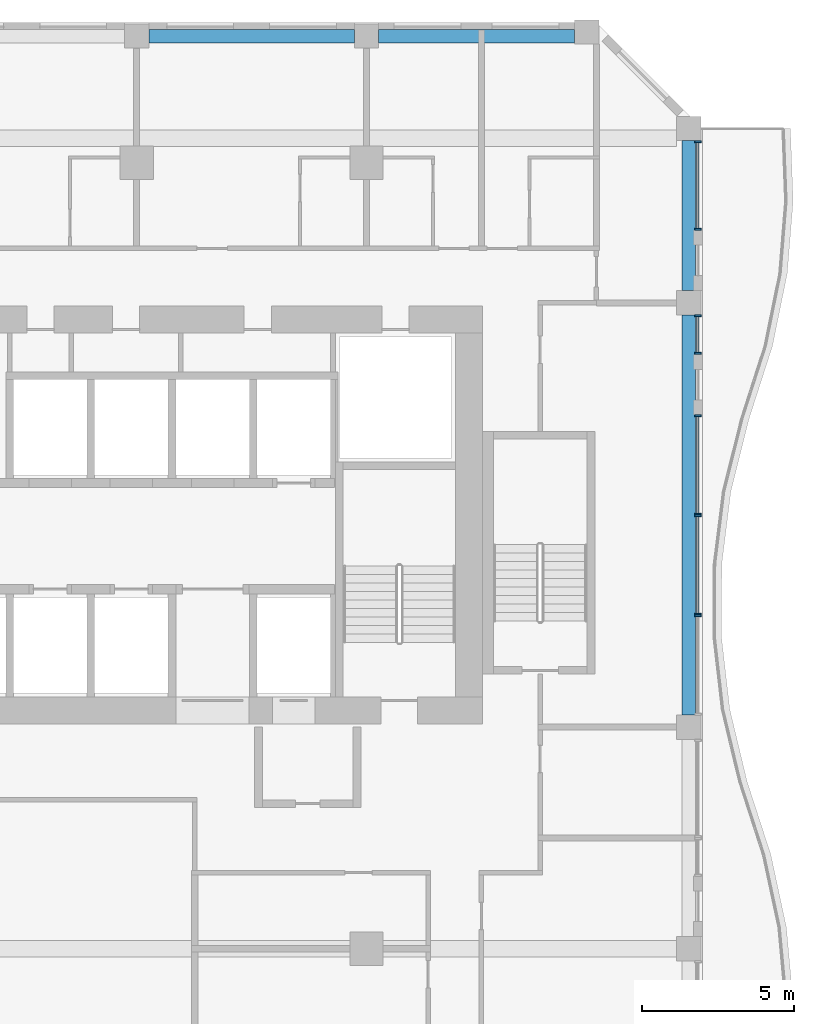
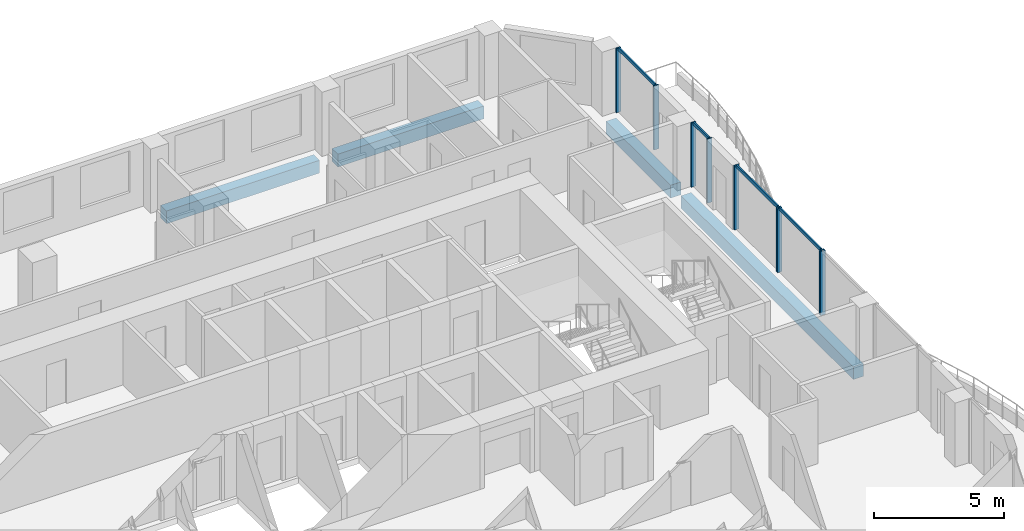
# One storey, part 8 of 23: 13 members, 4 beams, 5 elements without a shape of their own.
"""IFC4 building model written with IfcOpenShell, lengths in metres."""

from ifc_helpers import new_model, si_unit, direction, frame, origin, origin_2d, place, context, subcontext, project, spatial, rectangle, extrude, source, transform, mapped, material, material_profile, profile_set, type_object, element, aggregate, save


model = new_model("IFC4")

# Units and contexts
model_context = context("Model", 3, precision=1e-05, world=origin(), true_north=direction((0.0, 1.0)))
body_context = subcontext(model_context, "Body", "Model", "MODEL_VIEW")
ifc_project = project(units=[si_unit("LENGTHUNIT", "METRE"), si_unit("AREAUNIT", "SQUARE_METRE"), si_unit("VOLUMEUNIT", "CUBIC_METRE"), si_unit("PLANEANGLEUNIT", "RADIAN"), si_unit("MASSUNIT", "GRAM", prefix="KILO")], contexts=[model_context])

# Site, building, storey
site_placement = place(None, origin())
site = spatial("IfcSite", under=ifc_project, at=site_placement, CompositionType="ELEMENT")
building_placement = place(site_placement, origin())
building = spatial("IfcBuilding", under=site, at=building_placement, Name="Kilnfold Tower and Market Hall", CompositionType="ELEMENT")
storey_placement = place(building_placement, frame((0.0, 0.0, 160.89990234375)))
storey = spatial("IfcBuildingStorey", under=building, at=storey_placement, Name="L37", CompositionType="ELEMENT", Elevation=160.89990234375)

# Beams
ifc_material_1 = material(Name="Concrete C45", Category="concrete")
ifc_material_profile_1 = material_profile(ifc_material_1, rectangle(XDim=0.449951171875, YDim=0.60009765625, at=origin_2d()), Name="RC 450x600")
ifc_profile_set_1 = profile_set([ifc_material_profile_1], Name="Concrete C45")
beam_type = type_object("IfcBeamType", Name="EDGE BEAM 450X600 C45", PredefinedType="BEAM", material=ifc_profile_set_1)
shared_shape_1 = source(origin(), body_context, "Body", "SweptSolid", [
    extrude(rectangle(XDim=0.449951171875, YDim=0.60009765625, at=origin_2d()), origin(), (0.0, 0.0, 1.0), 6.783203125),
])
beam_1_placement = place(storey_placement, frame((6.9833984375, 30.800048828125, -0.579833984375), z_axis=(1.0, 0.0, 0.0), x_axis=(0.0, 1.0, 0.0)))
element("IfcBeam", 1, at=beam_1_placement, inside=storey, type_object=beam_type, Name="Beam EB600-B4.92", PredefinedType="BEAM", context=body_context, shape_type="MappedRepresentation", body=[
    mapped(shared_shape_1, transform((0.0, 0.0, 0.0))),
])
shared_shape_2 = source(origin(), body_context, "Body", "SweptSolid", [
    extrude(rectangle(XDim=0.449951171875, YDim=0.60009765625, at=origin_2d()), origin(), (0.0, 0.0, 1.0), 6.465087890625),
])
beam_2_placement = place(storey_placement, frame((14.566650390625, 30.800048828125, -0.579833984375), z_axis=(1.0, 0.0, 0.0), x_axis=(0.0, 1.0, 0.0)))
element("IfcBeam", 2, at=beam_2_placement, inside=storey, type_object=beam_type, Name="Beam EB600-B4.93", PredefinedType="BEAM", context=body_context, shape_type="MappedRepresentation", body=[
    mapped(shared_shape_2, transform((0.0, 0.0, 0.0))),
])
shared_shape_3 = source(origin(), body_context, "Body", "SweptSolid", [
    extrude(rectangle(XDim=0.449951171875, YDim=0.60009765625, at=origin_2d()), origin(), (0.0, 0.0, 1.0), 13.2001953125),
])
beam_3_placement = place(storey_placement, frame((24.800048828125, 8.39990234375, -0.579833984375), z_axis=(0.0, 1.0, 0.0), x_axis=(-1.0, 0.0, 0.0)))
element("IfcBeam", 3, at=beam_3_placement, inside=storey, type_object=beam_type, Name="Beam EB600-B4.103", PredefinedType="BEAM", context=body_context, shape_type="MappedRepresentation", body=[
    mapped(shared_shape_3, transform((0.0, 0.0, 0.0))),
])
shared_shape_4 = source(origin(), body_context, "Body", "SweptSolid", [
    extrude(rectangle(XDim=0.449951171875, YDim=0.60009765625, at=origin_2d()), origin(), (0.0, 0.0, 1.0), 4.9501953125),
])
beam_4_placement = place(storey_placement, frame((24.800048828125, 22.39990234375, -0.579833984375), z_axis=(0.0, 1.0, 0.0), x_axis=(-1.0, 0.0, 0.0)))
element("IfcBeam", 4, at=beam_4_placement, inside=storey, type_object=beam_type, Name="Beam EB600-B4.104", PredefinedType="BEAM", context=body_context, shape_type="MappedRepresentation", body=[
    mapped(shared_shape_4, transform((0.0, 0.0, 0.0))),
])

# Curtain wall, member
ifc_material_2 = material(Name="Aluminium and double glazing", Category="aluminium")
curtain_wall_type = type_object("IfcCurtainWallType", Name="CW GARDEN HOTEL WINTER GARDEN", PredefinedType="NOTDEFINED", material=ifc_material_2)
curtain_wall_1_placement = place(storey_placement, origin())
curtain_wall_1 = element("IfcCurtainWall", 5, at=curtain_wall_1_placement, inside=storey, type_object=curtain_wall_type, Name="Curtain wall CW5 L37 E", PredefinedType="NOTDEFINED")
ifc_material_3 = material(Name="Aluminium", Category="aluminium")
ifc_material_profile_2 = material_profile(ifc_material_3, rectangle(XDim=0.06494140625, YDim=0.2099609375, at=origin_2d()), Name="MULLION 65x210")
ifc_profile_set_2 = profile_set([ifc_material_profile_2], Name="Aluminium")
member_type_1 = type_object("IfcMemberType", Name="MULLION 65X210", PredefinedType="MULLION", material=ifc_profile_set_2)
shared_shape_5 = source(origin(), body_context, "Body", "SweptSolid", [
    extrude(rectangle(XDim=0.06494140625, YDim=0.2099609375, at=origin_2d()), origin(), (0.0, 0.0, 1.0), 3.0),
])
member_1_placement = place(storey_placement, frame((25.10009765625, 11.66748046875, 0.0), z_axis=(0.0, 0.0, 1.0), x_axis=(0.0, 1.0, 0.0)))
member_1 = element("IfcMember", 6, at=member_1_placement, type_object=member_type_1, Name="CW5 mullion 2", PredefinedType="MULLION", context=body_context, shape_type="MappedRepresentation", body=[
    mapped(shared_shape_5, transform((0.0, 0.0, 0.0))),
])
aggregate(curtain_wall_1, [member_1])

# Curtain wall, members
curtain_wall_2_placement = place(storey_placement, origin())
curtain_wall_2 = element("IfcCurtainWall", 7, at=curtain_wall_2_placement, inside=storey, type_object=curtain_wall_type, Name="Curtain wall CW5 L37 E", PredefinedType="NOTDEFINED")
member_2_placement = place(storey_placement, frame((25.10009765625, 11.732421875, 0.0), z_axis=(0.0, 0.0, 1.0), x_axis=(0.0, 1.0, 0.0)))
member_2 = element("IfcMember", 8, at=member_2_placement, type_object=member_type_1, Name="CW5 mullion 1", PredefinedType="MULLION", context=body_context, shape_type="MappedRepresentation", body=[
    mapped(shared_shape_5, transform((0.0, 0.0, 0.0))),
])
member_3_placement = place(storey_placement, frame((25.10009765625, 14.967529296875, 0.0), z_axis=(0.0, 0.0, 1.0), x_axis=(0.0, 1.0, 0.0)))
member_3 = element("IfcMember", 9, at=member_3_placement, type_object=member_type_1, Name="CW5 mullion 2", PredefinedType="MULLION", context=body_context, shape_type="MappedRepresentation", body=[
    mapped(shared_shape_5, transform((0.0, 0.0, 0.0))),
])

curtain_wall_3_placement = place(storey_placement, origin())
curtain_wall_3 = element("IfcCurtainWall", 10, at=curtain_wall_3_placement, inside=storey, type_object=curtain_wall_type, Name="Curtain wall CW5 L37 E", PredefinedType="NOTDEFINED")
member_4_placement = place(storey_placement, frame((25.10009765625, 15.032470703125, 0.0), z_axis=(0.0, 0.0, 1.0), x_axis=(0.0, 1.0, 0.0)))
member_4 = element("IfcMember", 11, at=member_4_placement, type_object=member_type_1, Name="CW5 mullion 1", PredefinedType="MULLION", context=body_context, shape_type="MappedRepresentation", body=[
    mapped(shared_shape_5, transform((0.0, 0.0, 0.0))),
])
member_5_placement = place(storey_placement, frame((25.10009765625, 18.267578125, 0.0), z_axis=(0.0, 0.0, 1.0), x_axis=(0.0, 1.0, 0.0)))
member_5 = element("IfcMember", 12, at=member_5_placement, type_object=member_type_1, Name="CW5 mullion 2", PredefinedType="MULLION", context=body_context, shape_type="MappedRepresentation", body=[
    mapped(shared_shape_5, transform((0.0, 0.0, 0.0))),
])

curtain_wall_4_placement = place(storey_placement, origin())
curtain_wall_4 = element("IfcCurtainWall", 13, at=curtain_wall_4_placement, inside=storey, type_object=curtain_wall_type, Name="Curtain wall CW5 L37 E", PredefinedType="NOTDEFINED")
member_6_placement = place(storey_placement, frame((25.10009765625, 20.33251953125, 0.0), z_axis=(0.0, 0.0, 1.0), x_axis=(0.0, 1.0, 0.0)))
member_6 = element("IfcMember", 14, at=member_6_placement, type_object=member_type_1, Name="CW5 mullion 1", PredefinedType="MULLION", context=body_context, shape_type="MappedRepresentation", body=[
    mapped(shared_shape_5, transform((0.0, 0.0, 0.0))),
])
member_7_placement = place(storey_placement, frame((25.10009765625, 21.5673828125, 0.0), z_axis=(0.0, 0.0, 1.0), x_axis=(0.0, 1.0, 0.0)))
member_7 = element("IfcMember", 15, at=member_7_placement, type_object=member_type_1, Name="CW5 mullion 2", PredefinedType="MULLION", context=body_context, shape_type="MappedRepresentation", body=[
    mapped(shared_shape_5, transform((0.0, 0.0, 0.0))),
])

curtain_wall_5_placement = place(storey_placement, origin())
curtain_wall_5 = element("IfcCurtainWall", 16, at=curtain_wall_5_placement, inside=storey, type_object=curtain_wall_type, Name="Curtain wall CW5 L37 E", PredefinedType="NOTDEFINED")
member_8_placement = place(storey_placement, frame((25.10009765625, 24.4326171875, 0.0), z_axis=(0.0, 0.0, 1.0), x_axis=(0.0, 1.0, 0.0)))
member_8 = element("IfcMember", 17, at=member_8_placement, type_object=member_type_1, Name="CW5 mullion 1", PredefinedType="MULLION", context=body_context, shape_type="MappedRepresentation", body=[
    mapped(shared_shape_5, transform((0.0, 0.0, 0.0))),
])
member_9_placement = place(storey_placement, frame((25.10009765625, 27.3173828125, 0.0), z_axis=(0.0, 0.0, 1.0), x_axis=(0.0, 1.0, 0.0)))
member_9 = element("IfcMember", 18, at=member_9_placement, type_object=member_type_1, Name="CW5 mullion 2", PredefinedType="MULLION", context=body_context, shape_type="MappedRepresentation", body=[
    mapped(shared_shape_5, transform((0.0, 0.0, 0.0))),
])

# Member
ifc_material_4 = material(Name="Aluminium", Category="aluminium")
ifc_material_profile_3 = material_profile(ifc_material_4, rectangle(XDim=0.06494140625, YDim=0.14990234375, at=origin_2d()), Name="TRANSOM 65x150")
ifc_profile_set_3 = profile_set([ifc_material_profile_3], Name="Aluminium")
member_type_2 = type_object("IfcMemberType", Name="TRANSOM 65X150", PredefinedType="USERDEFINED", material=ifc_profile_set_3)
shared_shape_6 = source(origin(), body_context, "Body", "SweptSolid", [
    extrude(rectangle(XDim=0.06494140625, YDim=0.14990234375, at=origin_2d()), origin(), (0.0, 0.0, 1.0), 3.170166015625),
])
member_10_placement = place(storey_placement, frame((25.10009765625, 11.764892578125, 2.967529296875), z_axis=(0.0, 1.0, 0.0), x_axis=(-1.0, 0.0, 0.0)))
member_10 = element("IfcMember", 19, at=member_10_placement, type_object=member_type_2, Name="CW5 transom 1.2", ObjectType="TRANSOM", PredefinedType="USERDEFINED", context=body_context, shape_type="MappedRepresentation", body=[
    mapped(shared_shape_6, transform((0.0, 0.0, 0.0))),
])

aggregate(curtain_wall_2, [member_2, member_3, member_10])

member_11_placement = place(storey_placement, frame((25.10009765625, 15.06494140625, 2.967529296875), z_axis=(0.0, 1.0, 0.0), x_axis=(-1.0, 0.0, 0.0)))
member_11 = element("IfcMember", 20, at=member_11_placement, type_object=member_type_2, Name="CW5 transom 1.2", ObjectType="TRANSOM", PredefinedType="USERDEFINED", context=body_context, shape_type="MappedRepresentation", body=[
    mapped(shared_shape_6, transform((0.0, 0.0, 0.0))),
])

aggregate(curtain_wall_3, [member_4, member_5, member_11])

shared_shape_7 = source(origin(), body_context, "Body", "SweptSolid", [
    extrude(rectangle(XDim=0.06494140625, YDim=0.14990234375, at=origin_2d()), origin(), (0.0, 0.0, 1.0), 1.169921875),
])
member_12_placement = place(storey_placement, frame((25.10009765625, 20.364990234375, 2.967529296875), z_axis=(0.0, 1.0, 0.0), x_axis=(-1.0, 0.0, 0.0)))
member_12 = element("IfcMember", 21, at=member_12_placement, type_object=member_type_2, Name="CW5 transom 1.2", ObjectType="TRANSOM", PredefinedType="USERDEFINED", context=body_context, shape_type="MappedRepresentation", body=[
    mapped(shared_shape_7, transform((0.0, 0.0, 0.0))),
])

aggregate(curtain_wall_4, [member_6, member_7, member_12])

shared_shape_8 = source(origin(), body_context, "Body", "SweptSolid", [
    extrude(rectangle(XDim=0.06494140625, YDim=0.14990234375, at=origin_2d()), origin(), (0.0, 0.0, 1.0), 2.81982421875),
])
member_13_placement = place(storey_placement, frame((25.10009765625, 24.465087890625, 2.967529296875), z_axis=(0.0, 1.0, 0.0), x_axis=(-1.0, 0.0, 0.0)))
member_13 = element("IfcMember", 22, at=member_13_placement, type_object=member_type_2, Name="CW5 transom 1.2", ObjectType="TRANSOM", PredefinedType="USERDEFINED", context=body_context, shape_type="MappedRepresentation", body=[
    mapped(shared_shape_8, transform((0.0, 0.0, 0.0))),
])

aggregate(curtain_wall_5, [member_8, member_9, member_13])

save(model, "model.ifc")
